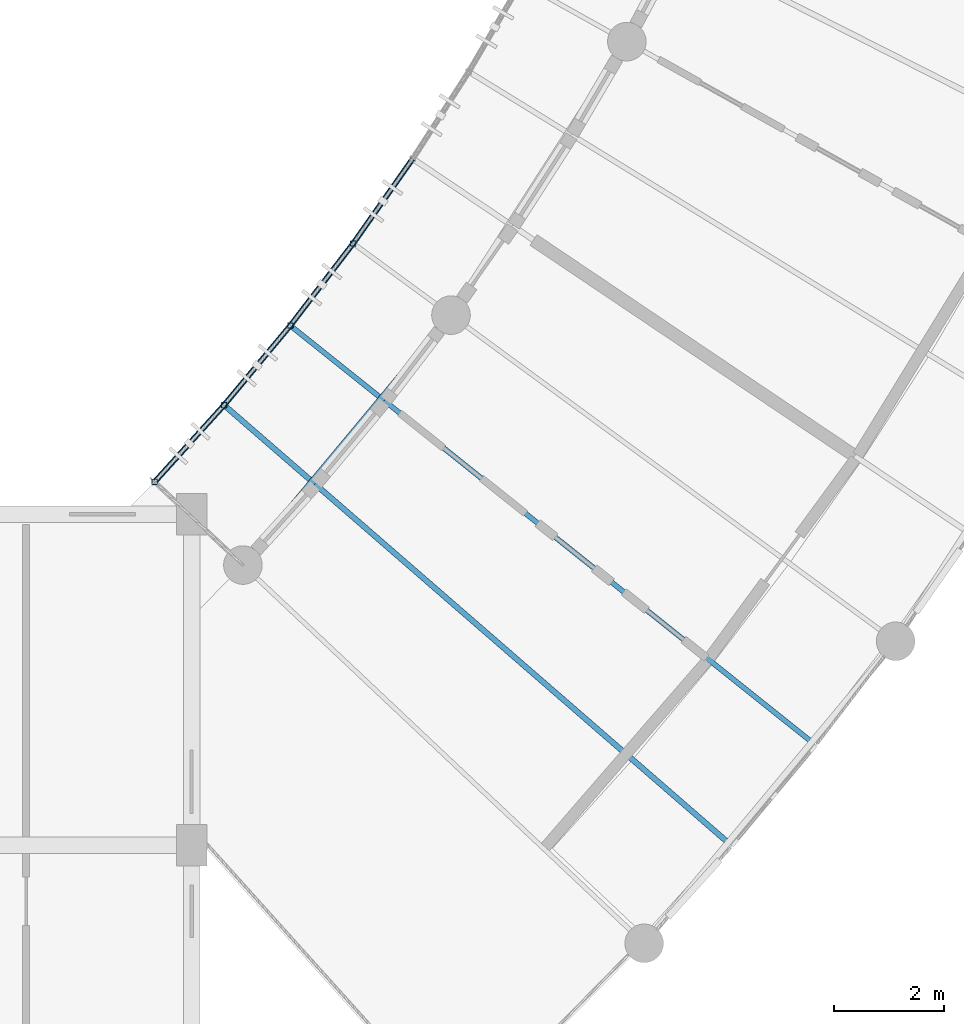
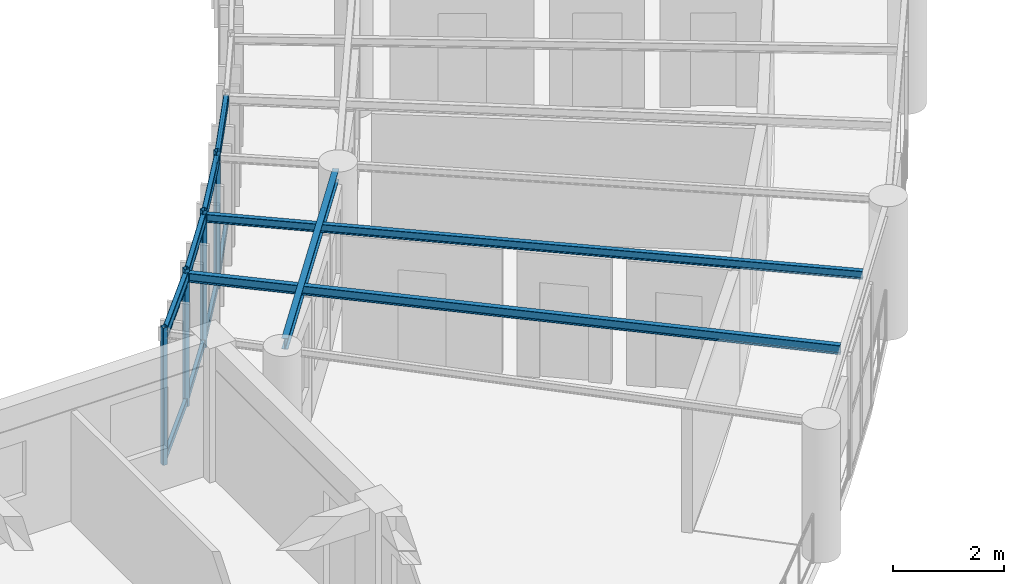
# One storey, part 11 of 100: 12 members, 7 beams.
"""IFC4 building model written with IfcOpenShell, lengths in metres."""

from ifc_helpers import new_model, si_unit, direction, frame, origin, origin_2d, place, context, subcontext, project, spatial, hollow_rectangle, i_section, extrude, material, material_profile, profile_set, type_object, element, save


model = new_model("IFC4")

# Units and contexts
model_context = context("Model", 3, precision=1e-05, world=origin(), true_north=direction((0.0, 1.0)))
body_context = subcontext(model_context, "Body", "Model", "MODEL_VIEW")
ifc_project = project(units=[si_unit("LENGTHUNIT", "METRE"), si_unit("AREAUNIT", "SQUARE_METRE"), si_unit("VOLUMEUNIT", "CUBIC_METRE"), si_unit("PLANEANGLEUNIT", "RADIAN"), si_unit("MASSUNIT", "GRAM", prefix="KILO"), si_unit("POWERUNIT", "WATT"), si_unit("THERMODYNAMICTEMPERATUREUNIT", "KELVIN")], contexts=[model_context])

# Site, building, storey
site_placement = place(None, origin())
site = spatial("IfcSite", under=ifc_project, at=site_placement, CompositionType="ELEMENT")
building_placement = place(site_placement, origin())
building = spatial("IfcBuilding", under=site, at=building_placement, Name="Ruvembo Vaulted Housing Court", CompositionType="ELEMENT")
storey_placement = place(building_placement, frame((0.0, 0.0, 10.89990234375)))
storey = spatial("IfcBuildingStorey", under=building, at=storey_placement, Name="L03", CompositionType="ELEMENT", Elevation=10.89990234375)

# Beams
ifc_material = material(Name="Steel S355J2", Category="steel")
ifc_material_profile_1 = material_profile(ifc_material, i_section(OverallWidth=0.091064453125, OverallDepth=0.179931640625, WebThickness=0.00537109375, FlangeThickness=0.008056640625, FilletRadius=0.009033203125, at=origin_2d()), Name="IPE 180")
ifc_profile_set_1 = profile_set([ifc_material_profile_1], Name="Steel S355J2")
beam_type_1 = type_object("IfcBeamType", Name="BM-ST-IPE180", PredefinedType="JOIST", material=ifc_profile_set_1)
beam_1_placement = place(storey_placement, frame((47.20751953125, 37.900146484375, 2.85009765625), z_axis=(-0.781429857341, 0.623993091353, 0.0), x_axis=(-0.623993091353, -0.781429857341, 0.0)))
element("IfcBeam", 1, at=beam_1_placement, inside=storey, type_object=beam_type_1, Name="Scoop SC1 L03 Radial Steel Joist 2", PredefinedType="JOIST", context=body_context, shape_type="SweptSolid", body=[
    extrude(i_section(OverallWidth=0.091064453125, OverallDepth=0.179931640625, WebThickness=0.00537109375, FlangeThickness=0.008056640625, FilletRadius=0.009033203125, at=origin_2d()), origin(), (0.0, 0.0, 1.0), 12.092529296875),
])
ifc_material_profile_2 = material_profile(ifc_material, i_section(OverallWidth=0.10009765625, OverallDepth=0.199951171875, WebThickness=0.005615234375, FlangeThickness=0.008544921875, FilletRadius=0.011962890625, at=origin_2d()), Name="IPE 200")
ifc_profile_set_2 = profile_set([ifc_material_profile_2], Name="Steel S355J2")
beam_type_2 = type_object("IfcBeamType", Name="BM-ST-IPE200", PredefinedType="BEAM", material=ifc_profile_set_2)
beam_2_placement = place(storey_placement, frame((45.690673828125, 36.078369140625, 2.840087890625), z_axis=(-0.75520458687, 0.655489154732, 0.0), x_axis=(-0.655489154732, -0.75520458687, 0.0)))
element("IfcBeam", 2, at=beam_2_placement, inside=storey, type_object=beam_type_2, Name="Scoop SC1 L03 Radial Steel Joist 1", PredefinedType="BEAM", context=body_context, shape_type="SweptSolid", body=[
    extrude(i_section(OverallWidth=0.10009765625, OverallDepth=0.199951171875, WebThickness=0.005615234375, FlangeThickness=0.008544921875, FilletRadius=0.011962890625, at=origin_2d()), origin(), (0.0, 0.0, 1.0), 12.092529296875),
])
ifc_material_profile_3 = material_profile(ifc_material, i_section(OverallWidth=0.1201171875, OverallDepth=0.239990234375, WebThickness=0.006103515625, FlangeThickness=0.009765625, FilletRadius=0.014892578125, at=origin_2d()), Name="IPE 240")
ifc_profile_set_3 = profile_set([ifc_material_profile_3], Name="Steel S355J2")
beam_type_3 = type_object("IfcBeamType", Name="BM-ST-IPE240", PredefinedType="BEAM", material=ifc_profile_set_3)
beam_3_placement = place(storey_placement, frame((37.077880859375, 41.2548828125, 2.822021484375), z_axis=(0.639875176035, 0.768478860538, 0.0), x_axis=(-0.768478860538, 0.639875176035, 0.0)))
element("IfcBeam", 3, at=beam_3_placement, inside=storey, type_object=beam_type_3, Name="Scoop SC1 L03 Chord Girder F0", PredefinedType="BEAM", context=body_context, shape_type="SweptSolid", body=[
    extrude(i_section(OverallWidth=0.1201171875, OverallDepth=0.239990234375, WebThickness=0.006103515625, FlangeThickness=0.009765625, FilletRadius=0.014892578125, at=origin_2d()), origin(), (0.0, 0.0, 1.0), 5.43701171875),
])
ifc_material_profile_4 = material_profile(ifc_material, hollow_rectangle(XDim=0.10009765625, YDim=0.199951171875, WallThickness=0.008056640625, InnerFilletRadius=0.008056640625, OuterFilletRadius=0.01611328125, at=origin_2d()), Name="RHS 200x100x8")
ifc_profile_set_4 = profile_set([ifc_material_profile_4], Name="Steel S355J2")
beam_type_4 = type_object("IfcBeamType", Name="BM-ST-RHS200", PredefinedType="SPANDREL", material=ifc_profile_set_4)
for number, where, z_axis, x_axis, name in (
    (4, (35.32958984375, 42.5869140625, 2.840087890625), (0.670766832997, 0.741668292265, 0.0), (-0.741668292265, 0.670766832997, 0.0), "Scoop SC1 L03 Balcony Edge Spandrel 0"),
    (5, (36.58837890625, 43.978759765625, 2.840087890625), (0.639915648776, 0.76844515904, 0.0), (-0.76844515904, 0.639915648776, 0.0), "Scoop SC1 L03 Balcony Edge Spandrel 1"),
):
    element("IfcBeam", number, at=place(storey_placement, frame(where, z_axis=z_axis, x_axis=x_axis)), inside=storey, type_object=beam_type_4, Name=name, PredefinedType="SPANDREL", context=body_context, shape_type="SweptSolid", body=[
        extrude(hollow_rectangle(XDim=0.10009765625, YDim=0.199951171875, WallThickness=0.008056640625, InnerFilletRadius=0.008056640625, OuterFilletRadius=0.01611328125, at=origin_2d()), origin(), (0.0, 0.0, 1.0), 1.876708984375),
    ])
beam_4_placement = place(storey_placement, frame((37.789306640625, 45.4208984375, 2.840087890625), z_axis=(0.607860517304, 0.794043822155, 0.0), x_axis=(-0.794043822155, 0.607860517304, 0.0)))
element("IfcBeam", 6, at=beam_4_placement, inside=storey, type_object=beam_type_4, Name="Scoop SC1 L03 Balcony Edge Spandrel 2", PredefinedType="SPANDREL", context=body_context, shape_type="SweptSolid", body=[
    extrude(hollow_rectangle(XDim=0.10009765625, YDim=0.199951171875, WallThickness=0.008056640625, InnerFilletRadius=0.008056640625, OuterFilletRadius=0.01611328125, at=origin_2d()), origin(), (0.0, 0.0, 1.0), 1.87646484375),
])
beam_5_placement = place(storey_placement, frame((38.929931640625, 46.910888671875, 2.840087890625), z_axis=(0.574858427718, 0.81825288761, 0.0), x_axis=(-0.81825288761, 0.574858427718, 0.0)))
element("IfcBeam", 7, at=beam_5_placement, inside=storey, type_object=beam_type_4, Name="Scoop SC1 L03 Balcony Edge Spandrel 3", PredefinedType="SPANDREL", context=body_context, shape_type="SweptSolid", body=[
    extrude(hollow_rectangle(XDim=0.10009765625, YDim=0.199951171875, WallThickness=0.008056640625, InnerFilletRadius=0.008056640625, OuterFilletRadius=0.01611328125, at=origin_2d()), origin(), (0.0, 0.0, 1.0), 1.876708984375),
])

# Members
ifc_material_profile_5 = material_profile(ifc_material, hollow_rectangle(XDim=0.06005859375, YDim=0.1201171875, WallThickness=0.0048828125, InnerFilletRadius=0.0048828125, OuterFilletRadius=0.010009765625, at=origin_2d()), Name="RHS 120x60x5")
ifc_profile_set_5 = profile_set([ifc_material_profile_5], Name="Steel S355J2")
member_type_1 = type_object("IfcMemberType", Name="MEM-CAR-RHS120", PredefinedType="CHORD", material=ifc_profile_set_5)
for number, where, z_axis, x_axis, name in (
    (8, (35.32958984375, 42.5869140625, 2.68310546875), (0.670766832997, 0.741668292265, 0.0), (-0.741668292265, 0.670766832997, 0.0), "Scoop SC1 L03 Upper Louvre Carrier Rail 0"),
    (9, (36.58837890625, 43.978759765625, 2.68310546875), (0.639915648776, 0.76844515904, 0.0), (-0.76844515904, 0.639915648776, 0.0), "Scoop SC1 L03 Upper Louvre Carrier Rail 1"),
):
    element("IfcMember", number, at=place(storey_placement, frame(where, z_axis=z_axis, x_axis=x_axis)), inside=storey, type_object=member_type_1, Name=name, PredefinedType="CHORD", context=body_context, shape_type="SweptSolid", body=[
        extrude(hollow_rectangle(XDim=0.06005859375, YDim=0.1201171875, WallThickness=0.0048828125, InnerFilletRadius=0.0048828125, OuterFilletRadius=0.010009765625, at=origin_2d()), origin(), (0.0, 0.0, 1.0), 1.876708984375),
    ])
member_1_placement = place(storey_placement, frame((37.789306640625, 45.4208984375, 2.68310546875), z_axis=(0.607860517304, 0.794043822155, 0.0), x_axis=(-0.794043822155, 0.607860517304, 0.0)))
element("IfcMember", 10, at=member_1_placement, inside=storey, type_object=member_type_1, Name="Scoop SC1 L03 Upper Louvre Carrier Rail 2", PredefinedType="CHORD", context=body_context, shape_type="SweptSolid", body=[
    extrude(hollow_rectangle(XDim=0.06005859375, YDim=0.1201171875, WallThickness=0.0048828125, InnerFilletRadius=0.0048828125, OuterFilletRadius=0.010009765625, at=origin_2d()), origin(), (0.0, 0.0, 1.0), 1.87646484375),
])
member_2_placement = place(storey_placement, frame((38.929931640625, 46.910888671875, 2.68310546875), z_axis=(0.574858427718, 0.81825288761, 0.0), x_axis=(-0.81825288761, 0.574858427718, 0.0)))
element("IfcMember", 11, at=member_2_placement, inside=storey, type_object=member_type_1, Name="Scoop SC1 L03 Upper Louvre Carrier Rail 3", PredefinedType="CHORD", context=body_context, shape_type="SweptSolid", body=[
    extrude(hollow_rectangle(XDim=0.06005859375, YDim=0.1201171875, WallThickness=0.0048828125, InnerFilletRadius=0.0048828125, OuterFilletRadius=0.010009765625, at=origin_2d()), origin(), (0.0, 0.0, 1.0), 1.876708984375),
])
ifc_material_profile_6 = material_profile(ifc_material, hollow_rectangle(XDim=0.080078125, YDim=0.14990234375, WallThickness=0.00634765625, InnerFilletRadius=0.00634765625, OuterFilletRadius=0.0126953125, at=origin_2d()), Name="RHS 150x80x6.3")
ifc_profile_set_6 = profile_set([ifc_material_profile_6], Name="Steel S355J2")
member_type_2 = type_object("IfcMemberType", Name="MEM-CAR-RHS150", PredefinedType="CHORD", material=ifc_profile_set_6)
for number, where, z_axis, x_axis, name in (
    (12, (35.32958984375, 42.5869140625, 0.09521484375), (0.670766832997, 0.741668292265, 0.0), (-0.741668292265, 0.670766832997, 0.0), "Scoop SC1 L03 Lower Louvre Carrier Rail 0"),
    (13, (36.58837890625, 43.978759765625, 0.09521484375), (0.639915648776, 0.76844515904, 0.0), (-0.76844515904, 0.639915648776, 0.0), "Scoop SC1 L03 Lower Louvre Carrier Rail 1"),
):
    element("IfcMember", number, at=place(storey_placement, frame(where, z_axis=z_axis, x_axis=x_axis)), inside=storey, type_object=member_type_2, Name=name, PredefinedType="CHORD", context=body_context, shape_type="SweptSolid", body=[
        extrude(hollow_rectangle(XDim=0.080078125, YDim=0.14990234375, WallThickness=0.00634765625, InnerFilletRadius=0.00634765625, OuterFilletRadius=0.0126953125, at=origin_2d()), origin(), (0.0, 0.0, 1.0), 1.876708984375),
    ])
member_3_placement = place(storey_placement, frame((37.789306640625, 45.4208984375, 0.09521484375), z_axis=(0.607860517304, 0.794043822155, 0.0), x_axis=(-0.794043822155, 0.607860517304, 0.0)))
element("IfcMember", 14, at=member_3_placement, inside=storey, type_object=member_type_2, Name="Scoop SC1 L03 Lower Louvre Carrier Rail 2", PredefinedType="CHORD", context=body_context, shape_type="SweptSolid", body=[
    extrude(hollow_rectangle(XDim=0.080078125, YDim=0.14990234375, WallThickness=0.00634765625, InnerFilletRadius=0.00634765625, OuterFilletRadius=0.0126953125, at=origin_2d()), origin(), (0.0, 0.0, 1.0), 1.87646484375),
])
member_4_placement = place(storey_placement, frame((38.929931640625, 46.910888671875, 0.09521484375), z_axis=(0.574858427718, 0.81825288761, 0.0), x_axis=(-0.81825288761, 0.574858427718, 0.0)))
element("IfcMember", 15, at=member_4_placement, inside=storey, type_object=member_type_2, Name="Scoop SC1 L03 Lower Louvre Carrier Rail 3", PredefinedType="CHORD", context=body_context, shape_type="SweptSolid", body=[
    extrude(hollow_rectangle(XDim=0.080078125, YDim=0.14990234375, WallThickness=0.00634765625, InnerFilletRadius=0.00634765625, OuterFilletRadius=0.0126953125, at=origin_2d()), origin(), (0.0, 0.0, 1.0), 1.876708984375),
])
ifc_material_profile_7 = material_profile(ifc_material, hollow_rectangle(XDim=0.10009765625, YDim=0.10009765625, WallThickness=0.00634765625, InnerFilletRadius=0.00634765625, OuterFilletRadius=0.0126953125, at=origin_2d()), Name="SHS 100x100x6.3")
ifc_profile_set_7 = profile_set([ifc_material_profile_7], Name="Steel S355J2")
member_type_3 = type_object("IfcMemberType", Name="MEM-FRM-SHS100", PredefinedType="STRUT", material=ifc_profile_set_7)
for number, where, z_axis, x_axis, name in (
    (16, (35.32958984375, 42.5869140625, -0.014892578125), (0.0, 0.0, 1.0), (1.0, 0.0, 0.0), "Scoop SC1 L03 Louvre Frame Post 0"),
    (17, (36.58837890625, 43.978759765625, -0.014892578125), (0.0, 0.0, 1.0), (1.0, 0.0, 0.0), "Scoop SC1 L03 Louvre Frame Post 1"),
    (18, (37.789306640625, 45.4208984375, -0.014892578125), (0.0, 0.0, 1.0), (1.0, 0.0, 0.0), "Scoop SC1 L03 Louvre Frame Post 2"),
    (19, (38.929931640625, 46.910888671875, -0.014892578125), (0.0, 0.0, 1.0), (1.0, 0.0, 0.0), "Scoop SC1 L03 Louvre Frame Post 3"),
):
    element("IfcMember", number, at=place(storey_placement, frame(where, z_axis=z_axis, x_axis=x_axis)), inside=storey, type_object=member_type_3, Name=name, PredefinedType="STRUT", context=body_context, shape_type="SweptSolid", body=[
        extrude(hollow_rectangle(XDim=0.10009765625, YDim=0.10009765625, WallThickness=0.00634765625, InnerFilletRadius=0.00634765625, OuterFilletRadius=0.0126953125, at=origin_2d()), origin(), (0.0, 0.0, 1.0), 3.032958984375),
    ])

save(model, "model.ifc")
